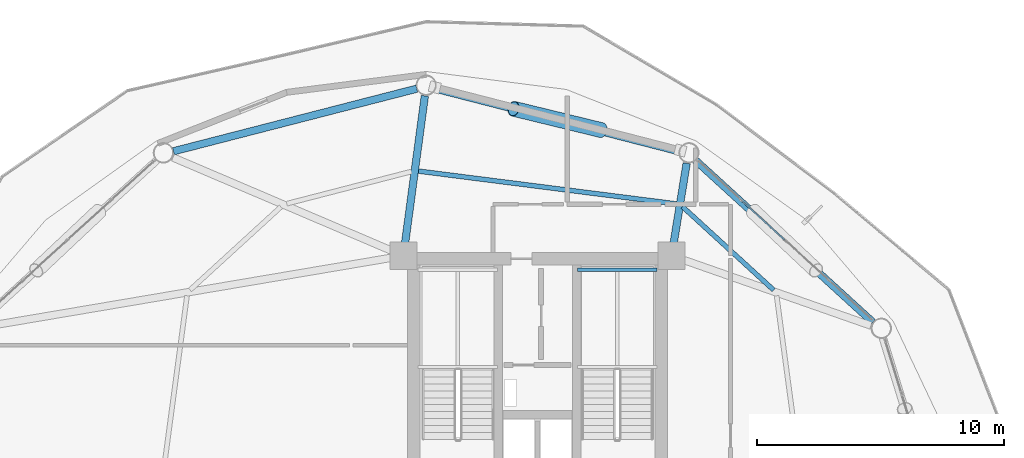
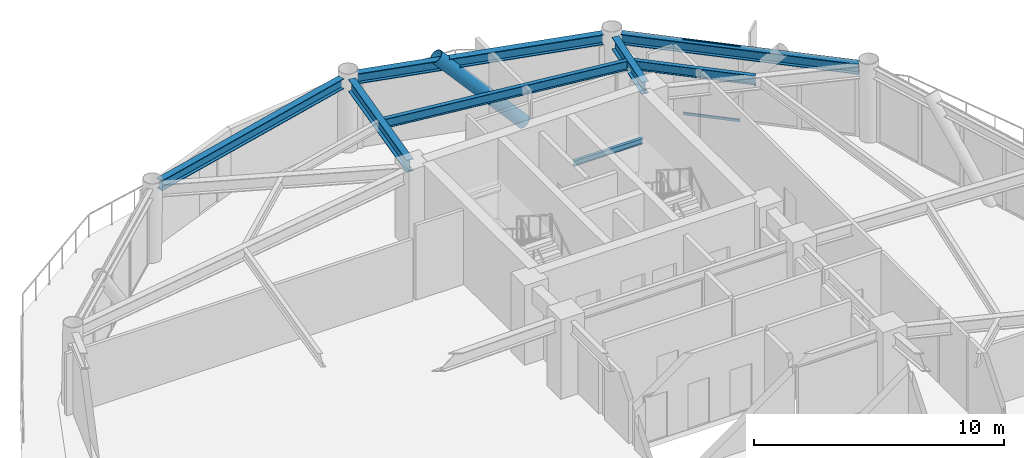
# One storey, part 16 of 23: 8 beams, 3 members, 1 element without a shape of its own.
"""IFC4 building model written with IfcOpenShell, lengths in metres."""

import ifcopenshell
import ifcopenshell.guid

model = None  # the IFC model being written
_history = None  # IfcOwnerHistory: only IFC2X3 demands one
_inside = {}  # id of a spatial element -> (the spatial element, [elements in it])
_under = {}  # id of a project, library or spatial element -> (it, [spatial elements below it])
_declared = {}  # id of a project -> (the project, [libraries it declares])
_typed = {}  # id of a type object -> (the type object, [elements of that type])
_made_of = {}  # id of a material, layer set ... -> (it, [elements and type objects made of it])


def new_model(schema):
    """Start an empty IFC model of exactly this schema.

    Asked for "IFC4X3", IfcOpenShell would pick the latest addendum, in which some entities
    have other attributes; the version numbers below select the first issue.
    IFC2X3 requires an IfcOwnerHistory on every rooted entity: one is made here for all.
    """
    global model, _history
    if schema == "IFC4X3":
        model = ifcopenshell.file(schema_version=(4, 3, 0, 0))
    else:
        model = ifcopenshell.file(schema=schema)
    _inside.clear()
    _under.clear()
    _declared.clear()
    _typed.clear()
    _made_of.clear()
    _history = None
    if model.schema == "IFC2X3":
        org = make("IfcOrganization", Name="unknown")
        user = make(
            "IfcPersonAndOrganization",
            ThePerson=make("IfcPerson", FamilyName="unknown"),
            TheOrganization=org,
        )
        app = make(
            "IfcApplication",
            ApplicationDeveloper=org,
            Version="unknown",
            ApplicationFullName="unknown",
            ApplicationIdentifier="unknown",
        )
        _history = make(
            "IfcOwnerHistory",
            OwningUser=user,
            OwningApplication=app,
            ChangeAction="ADDED",
            CreationDate=0,
        )
    return model


def make(cls, **values):
    """One entity of the class cls with the attributes given. An attribute that is None is left unset."""
    return model.create_entity(
        cls, **{name: value for name, value in values.items() if value is not None}
    )


def rooted(cls, **values):
    """An entity with a GlobalId (a new one), such as an element, a storey or a relation."""
    return make(cls, GlobalId=ifcopenshell.guid.new(), OwnerHistory=_history, **values)


def si_unit(unit_type, name, prefix=None):
    """IfcSIUnit, for example si_unit("LENGTHUNIT", "METRE", prefix="MILLI")."""
    return make("IfcSIUnit", UnitType=unit_type, Prefix=prefix, Name=name)


def assignment(units):
    """IfcUnitAssignment: the units of a project."""
    return None if units is None else make("IfcUnitAssignment", Units=units)


def point(xyz):
    """IfcCartesianPoint."""
    return None if xyz is None else make("IfcCartesianPoint", Coordinates=xyz)


def direction(xyz):
    """IfcDirection."""
    return None if xyz is None else make("IfcDirection", DirectionRatios=xyz)


def frame(location, z_axis=None, x_axis=None):
    """IfcAxis2Placement3D, a coordinate frame: its origin and axes. An axis left out is left unset."""
    return make(
        "IfcAxis2Placement3D",
        Location=point(location),
        Axis=direction(z_axis),
        RefDirection=direction(x_axis),
    )


def frame_2d(location, x_axis=None):
    """IfcAxis2Placement2D, a coordinate frame in the plane: its origin and x axis."""
    return make(
        "IfcAxis2Placement2D", Location=point(location), RefDirection=direction(x_axis)
    )


def origin():
    """The frame at (0, 0, 0) with its axes left unset."""
    return frame((0.0, 0.0, 0.0))


def origin_2d():
    """The frame at (0, 0) in the plane with its x axis left unset."""
    return frame_2d((0.0, 0.0))


def place(relative_to, where):
    """IfcLocalPlacement: puts the frame where relative to a parent placement (None: the world)."""
    return make(
        "IfcLocalPlacement", PlacementRelTo=relative_to, RelativePlacement=where
    )


def context(
    kind, dimensions, precision=None, world=None, true_north=None, identifier=None
):
    """IfcGeometricRepresentationContext, for example the 3D "Model" context."""
    return make(
        "IfcGeometricRepresentationContext",
        ContextIdentifier=identifier,
        ContextType=kind,
        CoordinateSpaceDimension=dimensions,
        Precision=precision,
        WorldCoordinateSystem=world,
        TrueNorth=true_north,
    )


def subcontext(parent, identifier, kind, view, scale=None):
    """IfcGeometricRepresentationSubContext, for example "Body" below "Model"."""
    return make(
        "IfcGeometricRepresentationSubContext",
        ContextIdentifier=identifier,
        ContextType=kind,
        ParentContext=parent,
        TargetScale=scale,
        TargetView=view,
    )


def project(units=None, contexts=None):
    """IfcProject with its units and contexts."""
    return rooted(
        "IfcProject",
        Name="project",
        RepresentationContexts=contexts,
        UnitsInContext=assignment(units),
    )


def spatial(cls, under=None, at=None, **own):
    """A site, building, storey or space (cls), placed at a placement, below another one or the project."""
    s = rooted(cls, ObjectPlacement=at, **own)
    if under is not None:
        _under.setdefault(under.id(), (under, []))[1].append(s)
    return s


def profile(cls, at=None, kind="AREA", **sizes):
    """A parametric profile (cls). Its sizes go by their IFC names, for example OverallWidth=200.0."""
    return make(cls, ProfileType=kind, Position=at, **sizes)


def hollow_rectangle(**sizes):
    """IfcRectangleHollowProfileDef."""
    return profile("IfcRectangleHollowProfileDef", **sizes)


def hollow_circle(**sizes):
    """IfcCircleHollowProfileDef."""
    return profile("IfcCircleHollowProfileDef", **sizes)


def i_section(**sizes):
    """IfcIShapeProfileDef."""
    return profile("IfcIShapeProfileDef", **sizes)


def extrude(swept, where, along, depth):
    """IfcExtrudedAreaSolid: the profile swept, set in the frame where, extruded along a direction by depth."""
    return make(
        "IfcExtrudedAreaSolid",
        SweptArea=swept,
        Position=where,
        ExtrudedDirection=direction(along),
        Depth=depth,
    )


def shape(context_of_items, identifier, shape_type, items):
    """IfcShapeRepresentation: the items that make up one representation, for example the "Body"."""
    return make(
        "IfcShapeRepresentation",
        ContextOfItems=context_of_items,
        RepresentationIdentifier=identifier,
        RepresentationType=shape_type,
        Items=items,
    )


def material(Name=None, Category=None):
    """IfcMaterial."""
    return make("IfcMaterial", Name=Name, Category=Category)


def layer(
    of_material, thickness, ventilated=None, Name=None, Category=None, Priority=None
):
    """IfcMaterialLayer: one layer of a wall or slab, of a material (None: an air gap)."""
    return make(
        "IfcMaterialLayer",
        Material=of_material,
        LayerThickness=thickness,
        IsVentilated=ventilated,
        Name=Name,
        Category=Category,
        Priority=Priority,
    )


def layer_set(layers, Name=None):
    """IfcMaterialLayerSet."""
    return make("IfcMaterialLayerSet", MaterialLayers=layers, LayerSetName=Name)


def material_profile(
    of_material, cross_section, Name=None, Category=None, Priority=None
):
    """IfcMaterialProfile: a cross section and its material."""
    return make(
        "IfcMaterialProfile",
        Name=Name,
        Material=of_material,
        Profile=cross_section,
        Priority=Priority,
        Category=Category,
    )


def profile_set(profiles, Name=None, composite=None):
    """IfcMaterialProfileSet."""
    return make(
        "IfcMaterialProfileSet",
        Name=Name,
        MaterialProfiles=profiles,
        CompositeProfile=composite,
    )


def made_of(thing, what):
    """Note that an element or type object is made of a material, layer set ...; save() writes the relation."""
    if what is not None:
        _made_of.setdefault(what.id(), (what, []))[1].append(thing)
    return thing


def type_object(cls, material=None, **own):
    """A type object (cls), such as IfcWallType, which elements share."""
    return made_of(rooted(cls, **own), material)


def element(
    cls,
    number,
    at=None,
    inside=None,
    cuts=None,
    type_object=None,
    material=None,
    context=None,
    identifier="Body",
    shape_type=None,
    held_by="IfcProductDefinitionShape",
    body=None,
    shapes=None,
    **own,
):
    """One element of the class cls, such as IfcWall. Its Tag is "e" and its number.

    at: its placement. inside: the storey or other place that contains it. cuts: it is an
    opening in that element (IfcRelVoidsElement). A single representation is given by context,
    identifier, shape_type and body (its items); several are given by shapes. held_by: the class
    of the entity that holds the representations. save() writes the other relations.
    """
    e = rooted(cls, Tag="e%d" % number, ObjectPlacement=at, **own)
    if body is not None:
        shapes = [shape(context, identifier, shape_type, body)]
    if shapes is not None:
        e.Representation = make(held_by, Representations=shapes)
    if inside is not None:
        _inside.setdefault(inside.id(), (inside, []))[1].append(e)
    if cuts is not None:
        rooted(
            "IfcRelVoidsElement", RelatingBuildingElement=cuts, RelatedOpeningElement=e
        )
    if type_object is not None:
        _typed.setdefault(type_object.id(), (type_object, []))[1].append(e)
    return made_of(e, material)


def aggregate(whole, parts):
    """IfcRelAggregates: a whole, such as a stair, and the parts it consists of."""
    return rooted("IfcRelAggregates", RelatingObject=whole, RelatedObjects=parts)


def save(model, path):
    """Write the relations noted so far, then the file.

    IfcRelAggregates (storeys below a building ...), IfcRelContainedInSpatialStructure (elements
    in a storey), IfcRelDefinesByType, IfcRelAssociatesMaterial and IfcRelDeclares: one each for
    every whole, place, type object, material and project.
    """
    for whole, parts in _under.values():
        aggregate(whole, parts)
    for where, things in _inside.values():
        rooted(
            "IfcRelContainedInSpatialStructure",
            RelatedElements=things,
            RelatingStructure=where,
        )
    for kind, things in _typed.values():
        rooted("IfcRelDefinesByType", RelatedObjects=things, RelatingType=kind)
    for what, things in _made_of.values():
        rooted("IfcRelAssociatesMaterial", RelatedObjects=things, RelatingMaterial=what)
    for by, libraries in _declared.values():
        rooted("IfcRelDeclares", RelatingContext=by, RelatedDefinitions=libraries)
    model.write(path)


model = new_model("IFC4")

# Units and contexts
model_context = context("Model", 3, precision=1e-05, world=origin(), true_north=direction((0.0, 1.0)))
body_context = subcontext(model_context, "Body", "Model", "MODEL_VIEW")
ifc_project = project(units=[si_unit("LENGTHUNIT", "METRE"), si_unit("AREAUNIT", "SQUARE_METRE"), si_unit("VOLUMEUNIT", "CUBIC_METRE"), si_unit("PLANEANGLEUNIT", "RADIAN"), si_unit("MASSUNIT", "GRAM", prefix="KILO")], contexts=[model_context])

# Site, building, storey
site_placement = place(None, origin())
site = spatial("IfcSite", under=ifc_project, at=site_placement, CompositionType="ELEMENT")
building_placement = place(site_placement, origin())
building = spatial("IfcBuilding", under=site, at=building_placement, Name="Varnakorn Sky Granary", CompositionType="ELEMENT")
storey_placement = place(building_placement, frame((0.0, 0.0, 114.89990234375)))
storey = spatial("IfcBuildingStorey", under=building, at=storey_placement, Name="L28", CompositionType="ELEMENT", Elevation=114.89990234375)

# Beams
ifc_material_1 = material(Name="Steel S355JR", Category="steel")
ifc_material_profile_1 = material_profile(ifc_material_1, i_section(OverallWidth=0.135009765625, OverallDepth=0.27001953125, WebThickness=0.006591796875, FlangeThickness=0.01025390625, at=origin_2d()), Name="IPE 270")
ifc_profile_set_1 = profile_set([ifc_material_profile_1], Name="Steel S355JR")
beam_type_1 = type_object("IfcBeamType", Name="BM-LND-270", PredefinedType="BEAM", material=ifc_profile_set_1)
beam_1_placement = place(storey_placement, frame((4.6201171875, 12.06005859375, 1.614990234375), z_axis=(1.0, 0.0, 0.0), x_axis=(0.0, 1.0, 0.0)))
element("IfcBeam", 1, at=beam_1_placement, inside=storey, type_object=beam_type_1, Name="Stair ST-2 Landing Trimmer Beam B L28-1", PredefinedType="BEAM", context=body_context, shape_type="SweptSolid", body=[
    extrude(i_section(OverallWidth=0.135009765625, OverallDepth=0.27001953125, WebThickness=0.006591796875, FlangeThickness=0.01025390625, at=origin_2d()), origin(), (0.0, 0.0, 1.0), 3.199951171875),
])
ifc_material_profile_2 = material_profile(ifc_material_1, i_section(OverallWidth=0.300048828125, OverallDepth=0.60009765625, WebThickness=0.015380859375, FlangeThickness=0.030029296875, at=origin_2d()), Name="HE 600 B")
ifc_profile_set_2 = profile_set([ifc_material_profile_2], Name="Steel S355JR")
beam_type_2 = type_object("IfcBeamType", Name="BM-RAD-Z2", PredefinedType="BEAM", material=ifc_profile_set_2)
beam_2_placement = place(storey_placement, frame((8.487548828125, 13.034423828125, 3.340087890625), z_axis=(0.160552383256, 0.987027320914, 0.0), x_axis=(-0.987027320914, 0.160552383256, 0.0)))
element("IfcBeam", 2, at=beam_2_placement, inside=storey, type_object=beam_type_2, Name="Radial Floor Girder RG03 L28", PredefinedType="BEAM", context=body_context, shape_type="SweptSolid", body=[
    extrude(i_section(OverallWidth=0.300048828125, OverallDepth=0.60009765625, WebThickness=0.015380859375, FlangeThickness=0.030029296875, at=origin_2d()), origin(), (0.0, 0.0, 1.0), 3.36669921875),
])
beam_3_placement = place(storey_placement, frame((-2.364013671875, 13.036376953125, 3.340087890625), z_axis=(0.13313905428, 0.991097367682, 0.0), x_axis=(-0.991097367682, 0.13313905428, 0.0)))
element("IfcBeam", 3, at=beam_3_placement, inside=storey, type_object=beam_type_2, Name="Radial Floor Girder RG04 L28", PredefinedType="BEAM", context=body_context, shape_type="SweptSolid", body=[
    extrude(i_section(OverallWidth=0.300048828125, OverallDepth=0.60009765625, WebThickness=0.015380859375, FlangeThickness=0.030029296875, at=origin_2d()), origin(), (0.0, 0.0, 1.0), 6.098876953125),
])
ifc_material_profile_3 = material_profile(ifc_material_1, i_section(OverallWidth=0.18994140625, OverallDepth=0.449951171875, WebThickness=0.009521484375, FlangeThickness=0.0146484375, at=origin_2d()), Name="IPE 450")
ifc_profile_set_3 = profile_set([ifc_material_profile_3], Name="Steel S355JR")
beam_type_3 = type_object("IfcBeamType", Name="BM-SEC-Z2", PredefinedType="BEAM", material=ifc_profile_set_3)
beam_4_placement = place(storey_placement, frame((12.542236328125, 11.2333984375, 3.4150390625), z_axis=(-0.737799708474, 0.67501969614, 0.0), x_axis=(-0.67501969614, -0.737799708474, 0.0)))
element("IfcBeam", 4, at=beam_4_placement, inside=storey, type_object=beam_type_3, Name="Secondary Floor Chord Beam MSB02 L28", PredefinedType="BEAM", context=body_context, shape_type="SweptSolid", body=[
    extrude(i_section(OverallWidth=0.18994140625, OverallDepth=0.449951171875, WebThickness=0.009521484375, FlangeThickness=0.0146484375, at=origin_2d()), origin(), (0.0, 0.0, 1.0), 4.9892578125),
])
beam_5_placement = place(storey_placement, frame((8.618896484375, 14.713623046875, 3.4150390625), z_axis=(-0.992010745857, 0.126153399102, 0.0), x_axis=(-0.126153399102, -0.992010745857, 0.0)))
element("IfcBeam", 5, at=beam_5_placement, inside=storey, type_object=beam_type_3, Name="Secondary Floor Chord Beam MSB03 L28", PredefinedType="BEAM", context=body_context, shape_type="SweptSolid", body=[
    extrude(i_section(OverallWidth=0.18994140625, OverallDepth=0.449951171875, WebThickness=0.009521484375, FlangeThickness=0.0146484375, at=origin_2d()), origin(), (0.0, 0.0, 1.0), 10.52197265625),
])
ifc_material_profile_4 = material_profile(ifc_material_1, i_section(OverallWidth=0.300048828125, OverallDepth=0.5, WebThickness=0.014404296875, FlangeThickness=0.028076171875, at=origin_2d()), Name="HE 500 B")
ifc_profile_set_4 = profile_set([ifc_material_profile_4], Name="Steel S355JR")
beam_type_4 = type_object("IfcBeamType", Name="BM-SPD-Z2", PredefinedType="SPANDREL", material=ifc_profile_set_4)
beam_6_placement = place(storey_placement, frame((16.554931640625, 9.930908203125, 3.39013671875), z_axis=(-0.738592129146, 0.674152554519, 0.0), x_axis=(-0.674152554519, -0.738592129146, 0.0)))
element("IfcBeam", 6, at=beam_6_placement, inside=storey, type_object=beam_type_4, Name="Perimeter Spandrel Ring Beam RB02 L28", PredefinedType="SPANDREL", context=body_context, shape_type="SweptSolid", body=[
    extrude(i_section(OverallWidth=0.300048828125, OverallDepth=0.5, WebThickness=0.014404296875, FlangeThickness=0.028076171875, at=origin_2d()), origin(), (0.0, 0.0, 1.0), 9.714111328125),
])
for number, where, z_axis, x_axis, name in (
    (7, (8.7119140625, 16.84130859375, 3.39013671875), (-0.968454808445, 0.249189253381, 0.0), (-0.249189253381, -0.968454808445, 0.0), "Perimeter Spandrel Ring Beam RB03 L28"),
    (8, (-1.879150390625, 19.371337890625, 3.39013671875), (-0.968454808445, -0.249189253381, 0.0), (0.249189253381, -0.968454808445, 0.0), "Perimeter Spandrel Ring Beam RB04 L28"),
):
    element("IfcBeam", number, at=place(storey_placement, frame(where, z_axis=z_axis, x_axis=x_axis)), inside=storey, type_object=beam_type_4, Name=name, PredefinedType="SPANDREL", context=body_context, shape_type="SweptSolid", body=[
        extrude(i_section(OverallWidth=0.300048828125, OverallDepth=0.5, WebThickness=0.014404296875, FlangeThickness=0.028076171875, at=origin_2d()), origin(), (0.0, 0.0, 1.0), 10.153076171875),
    ])

# Curtain wall, members
ifc_material_2 = material(Name="Anodised Bronze Aluminium Alloy 6063-T6", Category="aluminium")
ifc_layer = layer(ifc_material_2, 0.179931640625, Name="Anodised Bronze Aluminium Alloy 6063-T6")
ifc_layer_set = layer_set([ifc_layer], Name="Anodised Bronze Aluminium Alloy 6063-T6")
curtain_wall_type = type_object("IfcCurtainWallType", Name="CW-FRM-2", PredefinedType="USERDEFINED", material=ifc_layer_set)
curtain_wall_placement = place(storey_placement, origin())
curtain_wall = element("IfcCurtainWall", 9, at=curtain_wall_placement, inside=storey, type_object=curtain_wall_type, Name="Unitised Curtain Wall CW4 CW-L28-B02", ObjectType="CURTAIN WALL", PredefinedType="USERDEFINED")
ifc_material_profile_5 = material_profile(ifc_material_2, hollow_rectangle(XDim=0.06494140625, YDim=0.1201171875, WallThickness=0.00341796875, at=origin_2d()), Name="ALU TRAN 65x120")
ifc_profile_set_5 = profile_set([ifc_material_profile_5], Name="Anodised Bronze Aluminium Alloy 6063-T6")
member_type_1 = type_object("IfcMemberType", Name="CW-FRM-2-TRAN", PredefinedType="USERDEFINED", material=ifc_profile_set_5)
member_1_placement = place(storey_placement, frame((11.2666015625, 14.8310546875, 0.03271484375), z_axis=(0.738762361329, -0.673966003211, 0.0), x_axis=(0.673966003211, 0.738762361329, 0.0)))
member_1 = element("IfcMember", 10, at=member_1_placement, type_object=member_type_1, Name="CW4 transom 2.1", ObjectType="TRANSOM", PredefinedType="USERDEFINED", context=body_context, shape_type="SweptSolid", body=[
    extrude(hollow_rectangle(XDim=0.06494140625, YDim=0.1201171875, WallThickness=0.00341796875, at=origin_2d()), origin(), (0.0, 0.0, 1.0), 2.32861328125),
])
member_2_placement = place(storey_placement, frame((11.2666015625, 14.8310546875, 3.607666015625), z_axis=(0.738762361329, -0.673966003211, 0.0), x_axis=(0.673966003211, 0.738762361329, 0.0)))
member_2 = element("IfcMember", 11, at=member_2_placement, type_object=member_type_1, Name="CW4 transom 2.2", ObjectType="TRANSOM", PredefinedType="USERDEFINED", context=body_context, shape_type="SweptSolid", body=[
    extrude(hollow_rectangle(XDim=0.06494140625, YDim=0.1201171875, WallThickness=0.00341796875, at=origin_2d()), origin(), (0.0, 0.0, 1.0), 2.32861328125),
])
aggregate(curtain_wall, [member_1, member_2])

# Member
ifc_material_3 = material(Name="Steel S460M", Category="steel")
ifc_material_profile_6 = material_profile(ifc_material_3, hollow_circle(Radius=0.304931640625, WallThickness=0.022216796875, at=origin_2d()), Name="CHS 610x22")
ifc_profile_set_6 = profile_set([ifc_material_profile_6], Name="Steel S460M")
member_type_2 = type_object("IfcMemberType", Name="MB-DIAG-T1", PredefinedType="BRACE", material=ifc_profile_set_6)
member_3_placement = place(storey_placement, frame((5.582763671875, 17.69580078125, -0.1298828125), z_axis=(-0.66273004736, 0.161321546818, 0.731275763894), x_axis=(-0.236513445211, -0.971628216055, 0.0)))
element("IfcMember", 12, at=member_3_placement, inside=storey, type_object=member_type_2, Name="Perimeter CHS Diagrid Brace DG03 L28", PredefinedType="BRACE", context=body_context, shape_type="SweptSolid", body=[
    extrude(hollow_circle(Radius=0.304931640625, WallThickness=0.022216796875, at=origin_2d()), origin(), (0.0, 0.0, 1.0), 5.3603515625),
])

save(model, "model.ifc")
